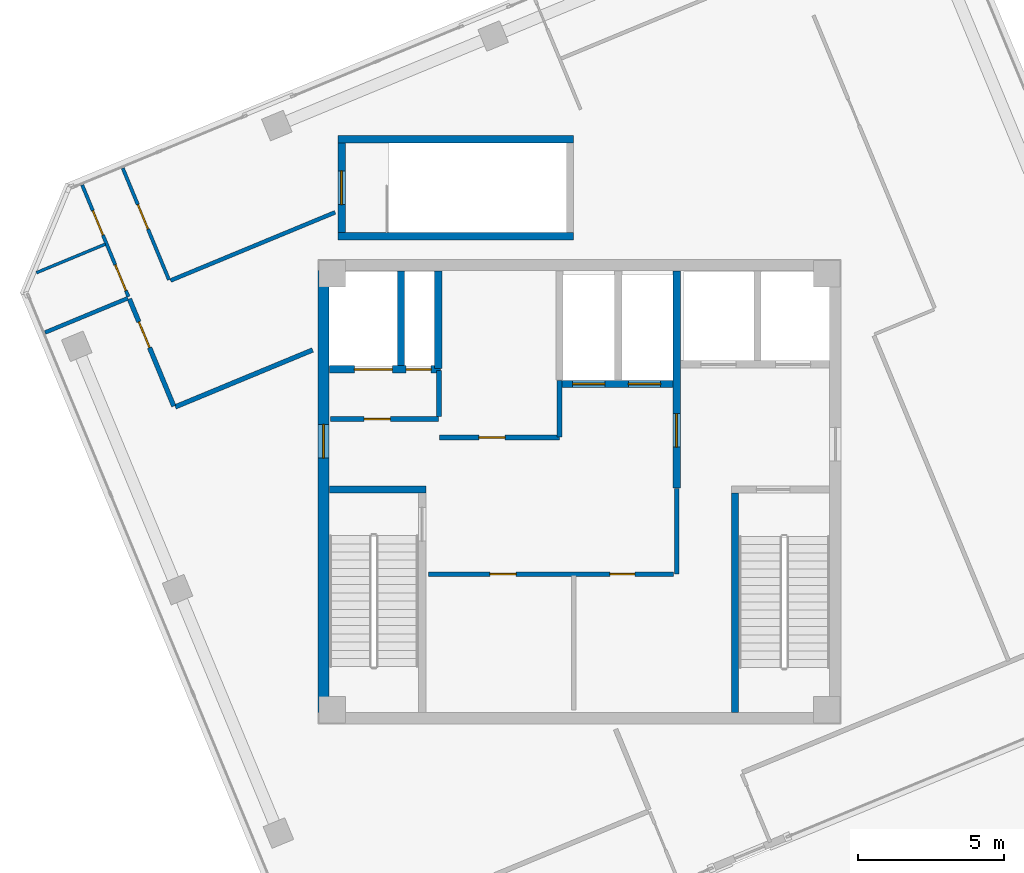
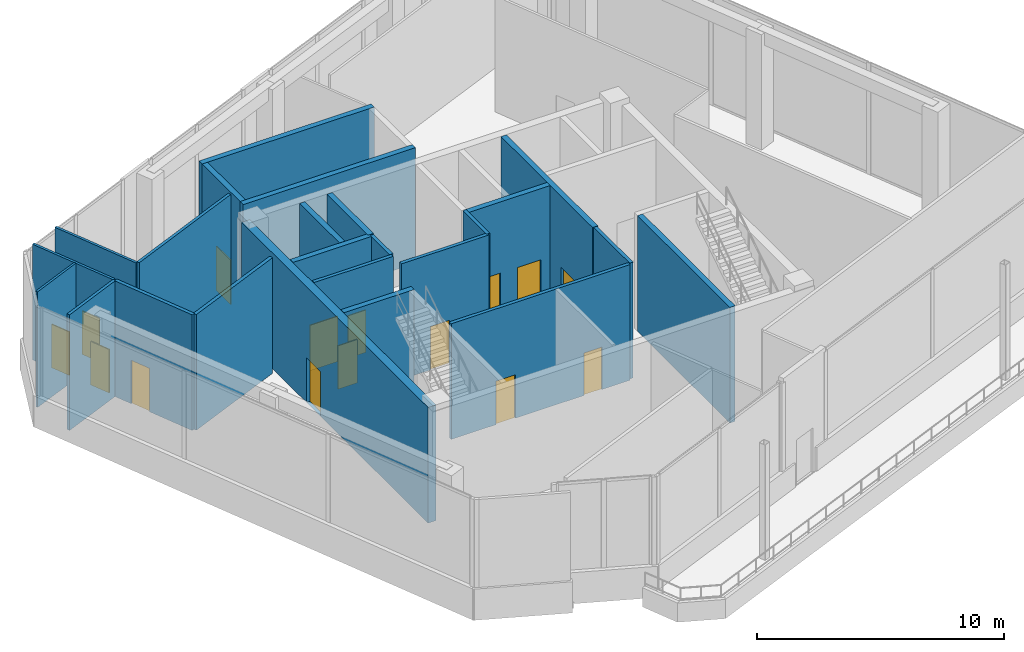
# One storey, part 11 of 16: 24 walls, 15 doors, 15 openings.
"""IFC4 building model written with IfcOpenShell, lengths in metres."""

from ifc_helpers import new_model, si_unit, direction, frame, frame_2d, origin, place, context, subcontext, project, spatial, rectangle, extrude, source, transform, mapped, material, layer, layer_set, type_object, element, fill, save


model = new_model("IFC4")

# Units and contexts
model_context = context("Model", 3, precision=1e-05, world=origin(), true_north=direction((0.0, 1.0)))
body_context = subcontext(model_context, "Body", "Model", "MODEL_VIEW")
ifc_project = project(units=[si_unit("LENGTHUNIT", "METRE"), si_unit("AREAUNIT", "SQUARE_METRE"), si_unit("VOLUMEUNIT", "CUBIC_METRE"), si_unit("PLANEANGLEUNIT", "RADIAN"), si_unit("MASSUNIT", "GRAM", prefix="KILO")], contexts=[model_context])

# Site, building, storey
site_placement = place(None, origin())
site = spatial("IfcSite", under=ifc_project, at=site_placement, CompositionType="ELEMENT")
building_placement = place(site_placement, origin())
building = spatial("IfcBuilding", under=site, at=building_placement, Name="Torre Montelarca", CompositionType="ELEMENT")
storey_placement = place(building_placement, frame((0.0, 0.0, 360.0)))
storey = spatial("IfcBuildingStorey", under=building, at=storey_placement, Name="L81", CompositionType="ELEMENT", Elevation=360.0)

# Walls
ifc_material_1 = material(Name="Concrete C40/50", Category="concrete")
ifc_layer_1 = layer(ifc_material_1, 0.25, Name="Concrete C40/50", Category="concrete")
ifc_layer_set_1 = layer_set([ifc_layer_1], Name="Concrete C40/50")
wall_type_1 = type_object("IfcWallType", Name="CW-SHAFT-250", PredefinedType="SHEAR", material=ifc_layer_set_1)
wall_1_placement = place(storey_placement, frame((9.4599609375, 32.074951171875, 0.0), z_axis=(0.0, 0.0, 1.0), x_axis=(1.0, 0.0, 0.0)))
element("IfcWall", 1, at=wall_1_placement, inside=storey, type_object=wall_type_1, Name="L81 Core Shear Wall SH-ST1-N", PredefinedType="SHEAR", context=body_context, shape_type="SweptSolid", body=[
    extrude(rectangle(XDim=3.2900390625, YDim=0.25, at=frame_2d((1.64501953125, 0.0))), origin(), (0.0, 0.0, 1.0), 5.719970703125),
])
wall_2_placement = place(storey_placement, frame((23.31494140625, 24.4599609375, 0.0), z_axis=(0.0, 0.0, 1.0), x_axis=(0.0, 1.0, 0.0)))
element("IfcWall", 2, at=wall_2_placement, inside=storey, type_object=wall_type_1, Name="L81 Core Shear Wall SH-ST2-W", PredefinedType="SHEAR", context=body_context, shape_type="SweptSolid", body=[
    extrude(rectangle(XDim=7.489990234375, YDim=0.25, at=frame_2d((3.7451171875, 0.0))), origin(), (0.0, 0.0, 1.0), 5.719970703125),
])

# Wall, opening, door
wall_3_placement = place(storey_placement, frame((21.320068359375, 32.1201171875, 0.0), z_axis=(0.0, 0.0, 1.0), x_axis=(0.0, 1.0, 0.0)))
wall_3 = element("IfcWall", 3, at=wall_3_placement, inside=storey, type_object=wall_type_1, Name="L81 Core Shear Wall SH-FFL-W", PredefinedType="SHEAR", context=body_context, shape_type="SweptSolid", body=[
    extrude(rectangle(XDim=7.419921875, YDim=0.25, at=frame_2d((3.7099609375, 0.0))), origin(), (0.0, 0.0, 1.0), 5.719970703125),
])
opening_1_placement = place(wall_3_placement, frame((1.39990234375, 0.0, 0.0)))
opening_1 = element("IfcOpeningElement", 4, at=opening_1_placement, cuts=wall_3, Name="Opening FD-LB1", PredefinedType="OPENING", context=body_context, shape_type="SweptSolid", body=[
    extrude(rectangle(XDim=1.14990234375, YDim=2.199951171875, at=frame_2d((0.574951171875, 1.10009765625))), frame((0.0, 0.135009765625, 0.0), z_axis=(0.0, -1.0, 0.0), x_axis=(1.0, 0.0, 0.0)), (0.0, 0.0, 1.0), 0.27001953125),
])
ifc_material_2 = material(Name="Acoustic timber-veneered fire door", Category="wood")
door_type_1 = type_object("IfcDoorType", Name="DR-LOBBY-115", OperationType="NOTDEFINED", PredefinedType="DOOR", material=ifc_material_2)
shared_shape_1 = source(origin(), body_context, "Body", "SweptSolid", [
    extrude(rectangle(XDim=1.14990234375, YDim=2.199951171875, at=frame_2d((0.574951171875, 1.10009765625))), frame((0.0, 0.02490234375, 0.0), z_axis=(0.0, -1.0, 0.0), x_axis=(1.0, 0.0, 0.0)), (0.0, 0.0, 1.0), 0.050048828125),
])
door_1_placement = place(opening_1_placement, origin())
door_1 = element("IfcDoor", 5, at=door_1_placement, inside=storey, type_object=door_type_1, Name="L81 Lift Lobby to Firefighting Lobby Smoke Door", OperationType="SINGLE_SWING_LEFT", OverallHeight=2.199951171875, OverallWidth=1.14990234375, PredefinedType="DOOR", context=body_context, shape_type="MappedRepresentation", body=[
    mapped(shared_shape_1, transform((0.0, 0.0, 0.0), scale=1.0)),
])
fill(opening_1, door_1)

# Wall, openings, doors
wall_4_placement = place(storey_placement, frame((9.4599609375, 36.179931640625, 0.0), z_axis=(0.0, 0.0, 1.0), x_axis=(1.0, 0.0, 0.0)))
wall_4 = element("IfcWall", 6, at=wall_4_placement, inside=storey, type_object=wall_type_1, Name="L81 Core Shear Wall SH-SV1-S", PredefinedType="SHEAR", context=body_context, shape_type="SweptSolid", body=[
    extrude(rectangle(XDim=3.7900390625, YDim=0.25, at=frame_2d((1.89501953125, 0.0))), origin(), (0.0, 0.0, 1.0), 5.719970703125),
])
opening_2_placement = place(wall_4_placement, frame((2.6201171875, 0.0, 0.0)))
opening_2 = element("IfcOpeningElement", 7, at=opening_2_placement, cuts=wall_4, Name="Opening FD-085", PredefinedType="OPENING", context=body_context, shape_type="SweptSolid", body=[
    extrude(rectangle(XDim=0.85009765625, YDim=2.10009765625, at=frame_2d((0.425048828125, 1.050048828125))), frame((0.0, 0.135009765625, 0.0), z_axis=(0.0, -1.0, 0.0), x_axis=(1.0, 0.0, 0.0)), (0.0, 0.0, 1.0), 0.27001953125),
])
opening_3_placement = place(wall_4_placement, frame((0.85009765625, 0.0, 0.0)))
opening_3 = element("IfcOpeningElement", 8, at=opening_3_placement, cuts=wall_4, Name="Opening LD-130", PredefinedType="OPENING", context=body_context, shape_type="SweptSolid", body=[
    extrude(rectangle(XDim=1.300048828125, YDim=2.25, at=frame_2d((0.64990234375, 1.125))), frame((0.0, 0.135009765625, 0.0), z_axis=(0.0, -1.0, 0.0), x_axis=(1.0, 0.0, 0.0)), (0.0, 0.0, 1.0), 0.27001953125),
])
ifc_material_3 = material(Name="Steel riser access fire door", Category="steel")
door_type_2 = type_object("IfcDoorType", Name="DR-RISER-085", OperationType="NOTDEFINED", PredefinedType="DOOR", material=ifc_material_3)
shared_shape_2 = source(origin(), body_context, "Body", "SweptSolid", [
    extrude(rectangle(XDim=0.85009765625, YDim=2.10009765625, at=frame_2d((0.425048828125, 1.050048828125))), frame((0.0, 0.02490234375, 0.0), z_axis=(0.0, -1.0, 0.0), x_axis=(1.0, 0.0, 0.0)), (0.0, 0.0, 1.0), 0.050048828125),
])
door_2_placement = place(opening_2_placement, origin())
door_2 = element("IfcDoor", 9, at=door_2_placement, inside=storey, type_object=door_type_2, Name="L81 Electrical Riser Shaft Access Door", OperationType="SINGLE_SWING_RIGHT", OverallHeight=2.10009765625, OverallWidth=0.85009765625, PredefinedType="DOOR", context=body_context, shape_type="MappedRepresentation", body=[
    mapped(shared_shape_2, transform((0.0, 0.0, 0.0), scale=1.0)),
])
fill(opening_2, door_2)
ifc_material_4 = material(Name="Brushed stainless steel AISI 316", Category="steel")
door_type_3 = type_object("IfcDoorType", Name="DR-LIFT-130", OperationType="SLIDING_TO_LEFT", PredefinedType="DOOR", material=ifc_material_4)
shared_shape_3 = source(origin(), body_context, "Body", "SweptSolid", [
    extrude(rectangle(XDim=1.300048828125, YDim=2.25, at=frame_2d((0.64990234375, 1.125))), frame((0.0, 0.02490234375, 0.0), z_axis=(0.0, -1.0, 0.0), x_axis=(1.0, 0.0, 0.0)), (0.0, 0.0, 1.0), 0.050048828125),
])
door_3_placement = place(opening_3_placement, origin())
door_3 = element("IfcDoor", 10, at=door_3_placement, inside=storey, type_object=door_type_3, Name="L81 Lift Landing Sliding Door SV-1", OperationType="SLIDING_TO_LEFT", OverallHeight=2.25, OverallWidth=1.300048828125, PredefinedType="DOOR", context=body_context, shape_type="MappedRepresentation", body=[
    mapped(shared_shape_3, transform((0.0, 0.0, 0.0), scale=1.0)),
])
fill(opening_3, door_3)

# Walls
wall_5_placement = place(storey_placement, frame((11.89990234375, 36.31005859375, 0.0), z_axis=(0.0, 0.0, 1.0), x_axis=(0.0, 1.0, 0.0)))
element("IfcWall", 11, at=wall_5_placement, inside=storey, type_object=wall_type_1, Name="L81 Core Shear Wall SH-SV1-E", PredefinedType="SHEAR", context=body_context, shape_type="SweptSolid", body=[
    extrude(rectangle(XDim=3.22998046875, YDim=0.25, at=frame_2d((1.614990234375, 0.0))), origin(), (0.0, 0.0, 1.0), 5.719970703125),
])
wall_6_placement = place(storey_placement, frame((13.179931640625, 36.199951171875, 0.0), z_axis=(0.0, 0.0, 1.0), x_axis=(0.0, 1.0, 0.0)))
element("IfcWall", 12, at=wall_6_placement, inside=storey, type_object=wall_type_1, Name="L81 Core Shear Wall SH-RSR1-E", PredefinedType="SHEAR", context=body_context, shape_type="SweptSolid", body=[
    extrude(rectangle(XDim=3.340087890625, YDim=0.25, at=frame_2d((1.669921875, 0.0))), origin(), (0.0, 0.0, 1.0), 5.719970703125),
])

# Wall, openings, doors
wall_7_placement = place(storey_placement, frame((17.320068359375, 35.679931640625, 0.0), z_axis=(0.0, 0.0, 1.0), x_axis=(1.0, 0.0, 0.0)))
wall_7 = element("IfcWall", 13, at=wall_7_placement, inside=storey, type_object=wall_type_1, Name="L81 Core Shear Wall SH-PLH-S", PredefinedType="SHEAR", context=body_context, shape_type="SweptSolid", body=[
    extrude(rectangle(XDim=3.869873046875, YDim=0.25, at=frame_2d((1.93505859375, 0.0))), origin(), (0.0, 0.0, 1.0), 5.719970703125),
])
opening_4_placement = place(wall_7_placement, frame((0.449951171875, 0.0, 0.0)))
opening_4 = element("IfcOpeningElement", 14, at=opening_4_placement, cuts=wall_7, Name="Opening LD-110", PredefinedType="OPENING", context=body_context, shape_type="SweptSolid", body=[
    extrude(rectangle(XDim=1.10009765625, YDim=2.199951171875, at=frame_2d((0.550048828125, 1.10009765625))), frame((0.0, 0.135009765625, 0.0), z_axis=(0.0, -1.0, 0.0), x_axis=(1.0, 0.0, 0.0)), (0.0, 0.0, 1.0), 0.27001953125),
])
opening_5_placement = place(wall_7_placement, frame((2.35009765625, 0.0, 0.0)))
opening_5 = element("IfcOpeningElement", 15, at=opening_5_placement, cuts=wall_7, Name="Opening LD-110", PredefinedType="OPENING", context=body_context, shape_type="SweptSolid", body=[
    extrude(rectangle(XDim=1.10009765625, YDim=2.199951171875, at=frame_2d((0.550048828125, 1.10009765625))), frame((0.0, 0.135009765625, 0.0), z_axis=(0.0, -1.0, 0.0), x_axis=(1.0, 0.0, 0.0)), (0.0, 0.0, 1.0), 0.27001953125),
])
door_type_4 = type_object("IfcDoorType", Name="DR-LIFT-110", OperationType="SLIDING_TO_LEFT", PredefinedType="DOOR", material=ifc_material_4)
shared_shape_4 = source(origin(), body_context, "Body", "SweptSolid", [
    extrude(rectangle(XDim=1.10009765625, YDim=2.199951171875, at=frame_2d((0.550048828125, 1.10009765625))), frame((0.0, 0.02490234375, 0.0), z_axis=(0.0, -1.0, 0.0), x_axis=(1.0, 0.0, 0.0)), (0.0, 0.0, 1.0), 0.050048828125),
])
door_4_placement = place(opening_4_placement, origin())
door_4 = element("IfcDoor", 16, at=door_4_placement, inside=storey, type_object=door_type_4, Name="L81 Lift Landing Sliding Door PL-H1", OperationType="SLIDING_TO_LEFT", OverallHeight=2.199951171875, OverallWidth=1.10009765625, PredefinedType="DOOR", context=body_context, shape_type="MappedRepresentation", body=[
    mapped(shared_shape_4, transform((0.0, 0.0, 0.0), scale=1.0)),
])
fill(opening_4, door_4)
door_5_placement = place(opening_5_placement, origin())
door_5 = element("IfcDoor", 17, at=door_5_placement, inside=storey, type_object=door_type_4, Name="L81 Lift Landing Sliding Door PL-H2", OperationType="SLIDING_TO_RIGHT", OverallHeight=2.199951171875, OverallWidth=1.10009765625, PredefinedType="DOOR", context=body_context, shape_type="MappedRepresentation", body=[
    mapped(shared_shape_4, transform((0.0, 0.0, 0.0), scale=1.0)),
])
fill(opening_5, door_5)

# Wall, opening, door
wall_8_placement = place(storey_placement, frame((9.875, 40.85009765625, 0.0), z_axis=(0.0, 0.0, 1.0), x_axis=(0.0, 1.0, 0.0)))
wall_8 = element("IfcWall", 18, at=wall_8_placement, inside=storey, type_object=wall_type_1, Name="L81 Core Shear Wall SH-ST5-W", PredefinedType="SHEAR", context=body_context, shape_type="SweptSolid", body=[
    extrude(rectangle(XDim=3.06982421875, YDim=0.25, at=frame_2d((1.534912109375, 0.0))), origin(), (0.0, 0.0, 1.0), 5.719970703125),
])
opening_6_placement = place(wall_8_placement, frame((0.9599609375, 0.0, 0.0)))
opening_6 = element("IfcOpeningElement", 19, at=opening_6_placement, cuts=wall_8, Name="Opening FD-LB1", PredefinedType="OPENING", context=body_context, shape_type="SweptSolid", body=[
    extrude(rectangle(XDim=1.14990234375, YDim=2.199951171875, at=frame_2d((0.574951171875, 1.10009765625))), frame((0.0, 0.135009765625, 0.0), z_axis=(0.0, -1.0, 0.0), x_axis=(1.0, 0.0, 0.0)), (0.0, 0.0, 1.0), 0.27001953125),
])
door_6_placement = place(opening_6_placement, origin())
door_6 = element("IfcDoor", 20, at=door_6_placement, inside=storey, type_object=door_type_1, Name="L81 Observatory Feature Stair ST5 Door", OperationType="SINGLE_SWING_RIGHT", OverallHeight=2.199951171875, OverallWidth=1.14990234375, PredefinedType="DOOR", context=body_context, shape_type="MappedRepresentation", body=[
    mapped(shared_shape_1, transform((0.0, 0.0, 0.0), scale=1.0)),
])
fill(opening_6, door_6)

# Walls
for number, where, z_axis, x_axis, name in (
    (21, (9.75, 40.72509765625, 0.0), (0.0, 0.0, 1.0), (1.0, 0.0, 0.0), "L81 Core Shear Wall SH-ST5-S"),
    (22, (9.75, 44.044921875, 0.0), (0.0, 0.0, 1.0), (1.0, 0.0, 0.0), "L81 Core Shear Wall SH-ST5-N"),
):
    element("IfcWall", number, at=place(storey_placement, frame(where, z_axis=z_axis, x_axis=x_axis)), inside=storey, type_object=wall_type_1, Name=name, PredefinedType="SHEAR", context=body_context, shape_type="SweptSolid", body=[
        extrude(rectangle(XDim=8.050048828125, YDim=0.25, at=frame_2d((4.02490234375, 0.0))), origin(), (0.0, 0.0, 1.0), 5.719970703125),
    ])

# Wall, opening, door
ifc_layer_2 = layer(ifc_material_1, 0.3798828125, Name="Concrete C40/50", Category="concrete")
ifc_layer_set_2 = layer_set([ifc_layer_2], Name="Concrete C40/50")
wall_type_2 = type_object("IfcWallType", Name="CW-SHEAR-380", PredefinedType="SHEAR", material=ifc_layer_set_2)
wall_9_placement = place(storey_placement, frame((9.260009765625, 24.449951171875, 0.0), z_axis=(0.0, 0.0, 1.0), x_axis=(0.0, 1.0, 0.0)))
wall_9 = element("IfcWall", 23, at=wall_9_placement, inside=storey, type_object=wall_type_2, Name="L81 Core Shear Wall CW-W", PredefinedType="SHEAR", context=body_context, shape_type="SweptSolid", body=[
    extrude(rectangle(XDim=15.10009765625, YDim=0.3798828125, at=frame_2d((7.550048828125, 0.0))), origin(), (0.0, 0.0, 1.0), 5.719970703125),
])
opening_7_placement = place(wall_9_placement, frame((8.699951171875, 0.0, 0.0)))
opening_7 = element("IfcOpeningElement", 24, at=opening_7_placement, cuts=wall_9, Name="Opening FD-LB1", PredefinedType="OPENING", context=body_context, shape_type="SweptSolid", body=[
    extrude(rectangle(XDim=1.14990234375, YDim=2.199951171875, at=frame_2d((0.574951171875, 1.10009765625))), frame((0.0, 0.199951171875, 0.0), z_axis=(0.0, -1.0, 0.0), x_axis=(1.0, 0.0, 0.0)), (0.0, 0.0, 1.0), 0.39990234375),
])
door_7_placement = place(opening_7_placement, origin())
door_7 = element("IfcDoor", 25, at=door_7_placement, inside=storey, type_object=door_type_1, Name="L81 Passenger Lift Lobby West Corridor Fire Door", OperationType="SINGLE_SWING_RIGHT", OverallHeight=2.199951171875, OverallWidth=1.14990234375, PredefinedType="DOOR", context=body_context, shape_type="MappedRepresentation", body=[
    mapped(shared_shape_1, transform((0.0, 0.0, 0.0), scale=1.0)),
])
fill(opening_7, door_7)

ifc_material_5 = material(Name="Gypsum plasterboard on steel stud", Category="steel")
ifc_layer_3 = layer(ifc_material_5, 0.159912109375, Name="Gypsum plasterboard on steel stud", Category="steel")
ifc_layer_set_3 = layer_set([ifc_layer_3], Name="Gypsum plasterboard on steel stud")
wall_type_3 = type_object("IfcWallType", Name="PW-FIRE-160", PredefinedType="PARTITIONING", material=ifc_layer_set_3)
wall_10_placement = place(storey_placement, frame((9.489990234375, 34.47998046875, 0.0), z_axis=(0.0, 0.0, 1.0), x_axis=(1.0, 0.0, 0.0)))
wall_10 = element("IfcWall", 26, at=wall_10_placement, inside=storey, type_object=wall_type_3, Name="L81 Interior Partition CW-L81-SVS", PredefinedType="PARTITIONING", context=body_context, shape_type="SweptSolid", body=[
    extrude(rectangle(XDim=3.699951171875, YDim=0.159912109375, at=frame_2d((1.85009765625, 0.0))), origin(), (0.0, 0.0, 1.0), 5.719970703125),
])
opening_8_placement = place(wall_10_placement, frame((1.14990234375, 0.0, 0.0)))
opening_8 = element("IfcOpeningElement", 27, at=opening_8_placement, cuts=wall_10, Name="Opening FD-090", PredefinedType="OPENING", context=body_context, shape_type="SweptSolid", body=[
    extrude(rectangle(XDim=0.89990234375, YDim=2.14990234375, at=frame_2d((0.449951171875, 1.074951171875))), frame((0.0, 0.08984375, 0.0), z_axis=(0.0, -1.0, 0.0), x_axis=(1.0, 0.0, 0.0)), (0.0, 0.0, 1.0), 0.179931640625),
])
ifc_material_6 = material(Name="Steel service fire door", Category="steel")
door_type_5 = type_object("IfcDoorType", Name="DR-FIRE-090", OperationType="NOTDEFINED", PredefinedType="DOOR", material=ifc_material_6)
shared_shape_5 = source(origin(), body_context, "Body", "SweptSolid", [
    extrude(rectangle(XDim=0.89990234375, YDim=2.14990234375, at=frame_2d((0.449951171875, 1.074951171875))), frame((0.0, 0.02490234375, 0.0), z_axis=(0.0, -1.0, 0.0), x_axis=(1.0, 0.0, 0.0)), (0.0, 0.0, 1.0), 0.050048828125),
])
door_8_placement = place(opening_8_placement, origin())
door_8 = element("IfcDoor", 28, at=door_8_placement, inside=storey, type_object=door_type_5, Name="L81 Interior Door 01", OperationType="SINGLE_SWING_RIGHT", OverallHeight=2.14990234375, OverallWidth=0.89990234375, PredefinedType="DOOR", context=body_context, shape_type="MappedRepresentation", body=[
    mapped(shared_shape_5, transform((0.0, 0.0, 0.0), scale=1.0)),
])
fill(opening_8, door_8)

# Wall
wall_11_placement = place(storey_placement, frame((13.199951171875, 34.570068359375, 0.0), z_axis=(0.0, 0.0, 1.0), x_axis=(0.0, 1.0, 0.0)))
element("IfcWall", 29, at=wall_11_placement, inside=storey, type_object=wall_type_3, Name="L81 Interior Partition CW-L81-SVE", PredefinedType="PARTITIONING", context=body_context, shape_type="SweptSolid", body=[
    extrude(rectangle(XDim=1.56982421875, YDim=0.159912109375, at=frame_2d((0.784912109375, 0.0))), origin(), (0.0, 0.0, 1.0), 5.719970703125),
])

# Wall, opening, door
wall_12_placement = place(storey_placement, frame((13.2099609375, 33.85009765625, 0.0), z_axis=(0.0, 0.0, 1.0), x_axis=(1.0, 0.0, 0.0)))
wall_12 = element("IfcWall", 30, at=wall_12_placement, inside=storey, type_object=wall_type_3, Name="L81 Interior Partition CW-L81-FRMS", PredefinedType="PARTITIONING", context=body_context, shape_type="SweptSolid", body=[
    extrude(rectangle(XDim=4.10009765625, YDim=0.159912109375, at=frame_2d((2.050048828125, 0.0))), origin(), (0.0, 0.0, 1.0), 5.719970703125),
])
opening_9_placement = place(wall_12_placement, frame((1.35009765625, 0.0, 0.0)))
opening_9 = element("IfcOpeningElement", 31, at=opening_9_placement, cuts=wall_12, Name="Opening FD-090", PredefinedType="OPENING", context=body_context, shape_type="SweptSolid", body=[
    extrude(rectangle(XDim=0.89990234375, YDim=2.14990234375, at=frame_2d((0.449951171875, 1.074951171875))), frame((0.0, 0.08984375, 0.0), z_axis=(0.0, -1.0, 0.0), x_axis=(1.0, 0.0, 0.0)), (0.0, 0.0, 1.0), 0.179931640625),
])
door_9_placement = place(opening_9_placement, origin())
door_9 = element("IfcDoor", 32, at=door_9_placement, inside=storey, type_object=door_type_5, Name="L81 Interior Door 02", OperationType="SINGLE_SWING_LEFT", OverallHeight=2.14990234375, OverallWidth=0.89990234375, PredefinedType="DOOR", context=body_context, shape_type="MappedRepresentation", body=[
    mapped(shared_shape_5, transform((0.0, 0.0, 0.0), scale=1.0)),
])
fill(opening_9, door_9)

# Wall
wall_13_placement = place(storey_placement, frame((17.320068359375, 33.860107421875, 0.0), z_axis=(0.0, 0.0, 1.0), x_axis=(0.0, 1.0, 0.0)))
element("IfcWall", 33, at=wall_13_placement, inside=storey, type_object=wall_type_3, Name="L81 Interior Partition CW-L81-FRME", PredefinedType="PARTITIONING", context=body_context, shape_type="SweptSolid", body=[
    extrude(rectangle(XDim=1.929931640625, YDim=0.159912109375, at=frame_2d((0.96484375, 0.0))), origin(), (0.0, 0.0, 1.0), 5.719970703125),
])

# Wall, openings, doors
wall_14_placement = place(storey_placement, frame((12.840087890625, 29.179931640625, 0.0), z_axis=(0.0, 0.0, 1.0), x_axis=(1.0, 0.0, 0.0)))
wall_14 = element("IfcWall", 34, at=wall_14_placement, inside=storey, type_object=wall_type_3, Name="L81 Interior Partition CW-L81-FRDN", PredefinedType="PARTITIONING", context=body_context, shape_type="SweptSolid", body=[
    extrude(rectangle(XDim=8.369873046875, YDim=0.159912109375, at=frame_2d((4.18505859375, 0.0))), origin(), (0.0, 0.0, 1.0), 5.719970703125),
])
opening_10_placement = place(wall_14_placement, frame((2.10009765625, 0.0, 0.0)))
opening_10 = element("IfcOpeningElement", 35, at=opening_10_placement, cuts=wall_14, Name="Opening FD-090", PredefinedType="OPENING", context=body_context, shape_type="SweptSolid", body=[
    extrude(rectangle(XDim=0.89990234375, YDim=2.14990234375, at=frame_2d((0.449951171875, 1.074951171875))), frame((0.0, 0.08984375, 0.0), z_axis=(0.0, -1.0, 0.0), x_axis=(1.0, 0.0, 0.0)), (0.0, 0.0, 1.0), 0.179931640625),
])
opening_11_placement = place(wall_14_placement, frame((6.199951171875, 0.0, 0.0)))
opening_11 = element("IfcOpeningElement", 36, at=opening_11_placement, cuts=wall_14, Name="Opening FD-085", PredefinedType="OPENING", context=body_context, shape_type="SweptSolid", body=[
    extrude(rectangle(XDim=0.85009765625, YDim=2.10009765625, at=frame_2d((0.425048828125, 1.050048828125))), frame((0.0, 0.08984375, 0.0), z_axis=(0.0, -1.0, 0.0), x_axis=(1.0, 0.0, 0.0)), (0.0, 0.0, 1.0), 0.179931640625),
])
door_10_placement = place(opening_11_placement, origin())
door_10 = element("IfcDoor", 37, at=door_10_placement, inside=storey, type_object=door_type_2, Name="L81 Interior Door 04", OperationType="SINGLE_SWING_LEFT", OverallHeight=2.10009765625, OverallWidth=0.85009765625, PredefinedType="DOOR", context=body_context, shape_type="MappedRepresentation", body=[
    mapped(shared_shape_2, transform((0.0, 0.0, 0.0), scale=1.0)),
])
fill(opening_11, door_10)
door_11_placement = place(opening_10_placement, origin())
door_11 = element("IfcDoor", 38, at=door_11_placement, inside=storey, type_object=door_type_5, Name="L81 Interior Door 03", OperationType="SINGLE_SWING_RIGHT", OverallHeight=2.14990234375, OverallWidth=0.89990234375, PredefinedType="DOOR", context=body_context, shape_type="MappedRepresentation", body=[
    mapped(shared_shape_5, transform((0.0, 0.0, 0.0), scale=1.0)),
])
fill(opening_10, door_11)

# Wall
wall_15_placement = place(storey_placement, frame((21.320068359375, 29.18994140625, 0.0), z_axis=(0.0, 0.0, 1.0), x_axis=(0.0, 1.0, 0.0)))
element("IfcWall", 39, at=wall_15_placement, inside=storey, type_object=wall_type_3, Name="L81 Interior Partition CW-L81-FRE", PredefinedType="PARTITIONING", context=body_context, shape_type="SweptSolid", body=[
    extrude(rectangle(XDim=2.920166015625, YDim=0.159912109375, at=frame_2d((1.4599609375, 0.0))), origin(), (0.0, 0.0, 1.0), 5.719970703125),
])

# Wall, opening, door
wall_16_placement = place(storey_placement, frame((2.622314453125, 38.587158203125, 0.0), z_axis=(0.0, 0.0, 1.0), x_axis=(0.382697586706, -0.923873669464, 0.0)))
wall_16 = element("IfcWall", 40, at=wall_16_placement, inside=storey, type_object=wall_type_3, Name="L81 Interior Partition W-L81-SOCCN", PredefinedType="PARTITIONING", context=body_context, shape_type="SweptSolid", body=[
    extrude(rectangle(XDim=3.969970703125, YDim=0.159912109375, at=frame_2d((1.98486328125, 0.0))), origin(), (0.0, 0.0, 1.0), 5.719970703125),
])
opening_12_placement = place(wall_16_placement, frame((0.85009765625, 0.0, 0.0)))
opening_12 = element("IfcOpeningElement", 41, at=opening_12_placement, cuts=wall_16, Name="Opening FD-095", PredefinedType="OPENING", context=body_context, shape_type="SweptSolid", body=[
    extrude(rectangle(XDim=0.949951171875, YDim=2.14990234375, at=frame_2d((0.47509765625, 1.074951171875))), frame((0.0, 0.08984375, 0.0), z_axis=(0.0, -1.0, 0.0), x_axis=(1.0, 0.0, 0.0)), (0.0, 0.0, 1.0), 0.179931640625),
])
ifc_material_7 = material(Name="Timber fire-rated room door", Category="wood")
door_type_6 = type_object("IfcDoorType", Name="DR-FIRE-095", OperationType="NOTDEFINED", PredefinedType="DOOR", material=ifc_material_7)
shared_shape_6 = source(origin(), body_context, "Body", "SweptSolid", [
    extrude(rectangle(XDim=0.949951171875, YDim=2.14990234375, at=frame_2d((0.47509765625, 1.074951171875))), frame((0.0, 0.02490234375, 0.0), z_axis=(0.0, -1.0, 0.0), x_axis=(1.0, 0.0, 0.0)), (0.0, 0.0, 1.0), 0.050048828125),
])
door_12_placement = place(opening_12_placement, origin())
door_12 = element("IfcDoor", 42, at=door_12_placement, inside=storey, type_object=door_type_6, Name="L81 Interior Door 07", OperationType="SINGLE_SWING_LEFT", OverallHeight=2.14990234375, OverallWidth=0.949951171875, PredefinedType="DOOR", context=body_context, shape_type="MappedRepresentation", body=[
    mapped(shared_shape_6, transform((0.0, 0.0, 0.0), scale=1.0)),
])
fill(opening_12, door_12)

# Walls
wall_17_placement = place(storey_placement, frame((4.19384765625, 34.897705078125, 0.0), z_axis=(0.0, 0.0, 1.0), x_axis=(0.923876129391, 0.38269164812, 0.0)))
element("IfcWall", 43, at=wall_17_placement, inside=storey, type_object=wall_type_3, Name="L81 Interior Partition W-L81-SOCCW2", PredefinedType="PARTITIONING", context=body_context, shape_type="SweptSolid", body=[
    extrude(rectangle(XDim=5.07568359375, YDim=0.159912109375, at=frame_2d((2.537841796875, 0.0))), origin(), (0.0, 0.0, 1.0), 5.719970703125),
])
ifc_material_8 = material(Name="Acoustic laminated glass partition", Category="glass")
ifc_layer_4 = layer(ifc_material_8, 0.10009765625, Name="Acoustic laminated glass partition", Category="glass")
ifc_layer_set_4 = layer_set([ifc_layer_4], Name="Acoustic laminated glass partition")
wall_type_4 = type_object("IfcWallType", Name="PW-GLAZ-100", PredefinedType="PARTITIONING", material=ifc_layer_set_4)
wall_18_placement = place(storey_placement, frame((-0.552978515625, 39.47998046875, 0.0), z_axis=(0.0, 0.0, 1.0), x_axis=(0.923867562545, 0.382712329141, 0.0)))
element("IfcWall", 44, at=wall_18_placement, inside=storey, type_object=wall_type_4, Name="L81 Interior Partition W-L81-WCD", PredefinedType="PARTITIONING", context=body_context, shape_type="SweptSolid", body=[
    extrude(rectangle(XDim=2.5517578125, YDim=0.10009765625, at=frame_2d((1.27587890625, 0.0))), origin(), (0.0, 0.0, 1.0), 5.719970703125),
])

# Wall, openings, doors
ifc_layer_5 = layer(ifc_material_5, 0.114990234375, Name="Gypsum plasterboard on steel stud", Category="steel")
ifc_layer_set_5 = layer_set([ifc_layer_5], Name="Gypsum plasterboard on steel stud")
wall_type_5 = type_object("IfcWallType", Name="PW-PART-115", PredefinedType="PARTITIONING", material=ifc_layer_set_5)
wall_19_placement = place(storey_placement, frame((1.010986328125, 42.476806640625, 0.0), z_axis=(0.0, 0.0, 1.0), x_axis=(0.382696360839, -0.923874177256, 0.0)))
wall_19 = element("IfcWall", 45, at=wall_19_placement, inside=storey, type_object=wall_type_5, Name="L81 Interior Partition W-L81-WCN", PredefinedType="PARTITIONING", context=body_context, shape_type="SweptSolid", body=[
    extrude(rectangle(XDim=4.130126953125, YDim=0.114990234375, at=frame_2d((2.06494140625, 0.0))), origin(), (0.0, 0.0, 1.0), 5.719970703125),
])
opening_13_placement = place(wall_19_placement, frame((0.949951171875, 0.0, 0.0)))
opening_13 = element("IfcOpeningElement", 46, at=opening_13_placement, cuts=wall_19, Name="Opening ID-090", PredefinedType="OPENING", context=body_context, shape_type="SweptSolid", body=[
    extrude(rectangle(XDim=0.89990234375, YDim=2.14990234375, at=frame_2d((0.449951171875, 1.074951171875))), frame((0.0, 0.0673828125, 0.0), z_axis=(0.0, -1.0, 0.0), x_axis=(1.0, 0.0, 0.0)), (0.0, 0.0, 1.0), 0.135009765625),
])
opening_14_placement = place(wall_19_placement, frame((2.949951171875, 0.0, 0.0)))
opening_14 = element("IfcOpeningElement", 47, at=opening_14_placement, cuts=wall_19, Name="Opening ID-095", PredefinedType="OPENING", context=body_context, shape_type="SweptSolid", body=[
    extrude(rectangle(XDim=0.949951171875, YDim=2.14990234375, at=frame_2d((0.47509765625, 1.074951171875))), frame((0.0, 0.0673828125, 0.0), z_axis=(0.0, -1.0, 0.0), x_axis=(1.0, 0.0, 0.0)), (0.0, 0.0, 1.0), 0.135009765625),
])
ifc_material_9 = material(Name="Hardwood acoustic timber veneer", Category="wood")
door_type_7 = type_object("IfcDoorType", Name="DR-INT-090", OperationType="NOTDEFINED", PredefinedType="DOOR", material=ifc_material_9)
shared_shape_7 = source(origin(), body_context, "Body", "SweptSolid", [
    extrude(rectangle(XDim=0.89990234375, YDim=2.14990234375, at=frame_2d((0.449951171875, 1.074951171875))), frame((0.0, 0.02490234375, 0.0), z_axis=(0.0, -1.0, 0.0), x_axis=(1.0, 0.0, 0.0)), (0.0, 0.0, 1.0), 0.050048828125),
])
door_13_placement = place(opening_13_placement, origin())
door_13 = element("IfcDoor", 48, at=door_13_placement, inside=storey, type_object=door_type_7, Name="L81 Interior Door 05", OperationType="SINGLE_SWING_LEFT", OverallHeight=2.14990234375, OverallWidth=0.89990234375, PredefinedType="DOOR", context=body_context, shape_type="MappedRepresentation", body=[
    mapped(shared_shape_7, transform((0.0, 0.0, 0.0), scale=1.0)),
])
fill(opening_13, door_13)
door_type_8 = type_object("IfcDoorType", Name="DR-INT-095", OperationType="NOTDEFINED", PredefinedType="DOOR", material=ifc_material_9)
shared_shape_8 = source(origin(), body_context, "Body", "SweptSolid", [
    extrude(rectangle(XDim=0.949951171875, YDim=2.14990234375, at=frame_2d((0.47509765625, 1.074951171875))), frame((0.0, 0.02490234375, 0.0), z_axis=(0.0, -1.0, 0.0), x_axis=(1.0, 0.0, 0.0)), (0.0, 0.0, 1.0), 0.050048828125),
])
door_14_placement = place(opening_14_placement, origin())
door_14 = element("IfcDoor", 49, at=door_14_placement, inside=storey, type_object=door_type_8, Name="L81 Interior Door 06", OperationType="SINGLE_SWING_RIGHT", OverallHeight=2.14990234375, OverallWidth=0.949951171875, PredefinedType="DOOR", context=body_context, shape_type="MappedRepresentation", body=[
    mapped(shared_shape_8, transform((0.0, 0.0, 0.0), scale=1.0)),
])
fill(opening_14, door_14)

# Wall, opening, door
wall_20_placement = place(storey_placement, frame((2.39697265625, 43.05078125, 0.0), z_axis=(0.0, 0.0, 1.0), x_axis=(0.382645903769, -0.923895076472, 0.0)))
wall_20 = element("IfcWall", 50, at=wall_20_placement, inside=storey, type_object=wall_type_5, Name="L81 Interior Partition W-L81-WPKS", PredefinedType="PARTITIONING", context=body_context, shape_type="SweptSolid", body=[
    extrude(rectangle(XDim=4.1298828125, YDim=0.114990234375, at=frame_2d((2.06494140625, 0.0))), origin(), (0.0, 0.0, 1.0), 5.719970703125),
])
opening_15_placement = place(wall_20_placement, frame((1.35009765625, 0.0, 0.0)))
opening_15 = element("IfcOpeningElement", 51, at=opening_15_placement, cuts=wall_20, Name="Opening ID-090", PredefinedType="OPENING", context=body_context, shape_type="SweptSolid", body=[
    extrude(rectangle(XDim=0.89990234375, YDim=2.14990234375, at=frame_2d((0.449951171875, 1.074951171875))), frame((0.0, 0.0673828125, 0.0), z_axis=(0.0, -1.0, 0.0), x_axis=(1.0, 0.0, 0.0)), (0.0, 0.0, 1.0), 0.135009765625),
])
door_15_placement = place(opening_15_placement, origin())
door_15 = element("IfcDoor", 52, at=door_15_placement, inside=storey, type_object=door_type_7, Name="L81 Interior Door 09", OperationType="SINGLE_SWING_LEFT", OverallHeight=2.14990234375, OverallWidth=0.89990234375, PredefinedType="DOOR", context=body_context, shape_type="MappedRepresentation", body=[
    mapped(shared_shape_7, transform((0.0, 0.0, 0.0), scale=1.0)),
])
fill(opening_15, door_15)

# Walls
ifc_layer_6 = layer(ifc_material_5, 0.135009765625, Name="Gypsum plasterboard on steel stud", Category="steel")
ifc_layer_set_6 = layer_set([ifc_layer_6], Name="Gypsum plasterboard on steel stud")
wall_type_6 = type_object("IfcWallType", Name="PW-PART-135", PredefinedType="PARTITIONING", material=ifc_layer_set_6)
wall_21_placement = place(storey_placement, frame((-0.257080078125, 37.437744140625, 0.0), z_axis=(0.0, 0.0, 1.0), x_axis=(0.923856366642, 0.382739354934, 0.0)))
element("IfcWall", 53, at=wall_21_placement, inside=storey, type_object=wall_type_6, Name="L81 Interior Partition W-L81-SWCDIV", PredefinedType="PARTITIONING", context=body_context, shape_type="SweptSolid", body=[
    extrude(rectangle(XDim=3.059814453125, YDim=0.135009765625, at=frame_2d((1.52978515625, 0.0))), origin(), (0.0, 0.0, 1.0), 5.719970703125),
])
wall_22_placement = place(storey_placement, frame((4.02978515625, 39.21337890625, 0.0), z_axis=(0.0, 0.0, 1.0), x_axis=(0.923873590168, 0.382697778135, 0.0)))
element("IfcWall", 54, at=wall_22_placement, inside=storey, type_object=wall_type_6, Name="L81 Interior Partition W-L81-WPKE", PredefinedType="PARTITIONING", context=body_context, shape_type="SweptSolid", body=[
    extrude(rectangle(XDim=6.086669921875, YDim=0.135009765625, at=frame_2d((3.04345703125, 0.0))), origin(), (0.0, 0.0, 1.0), 5.719970703125),
])

save(model, "model.ifc")
